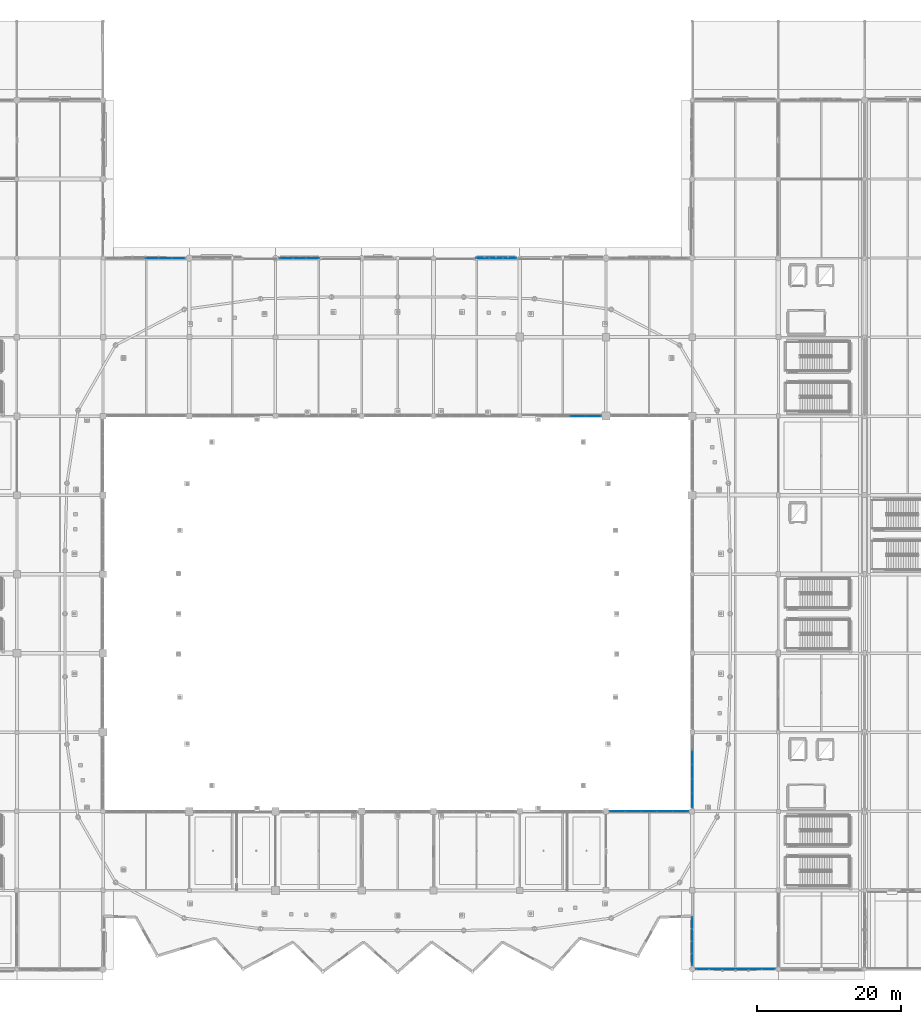
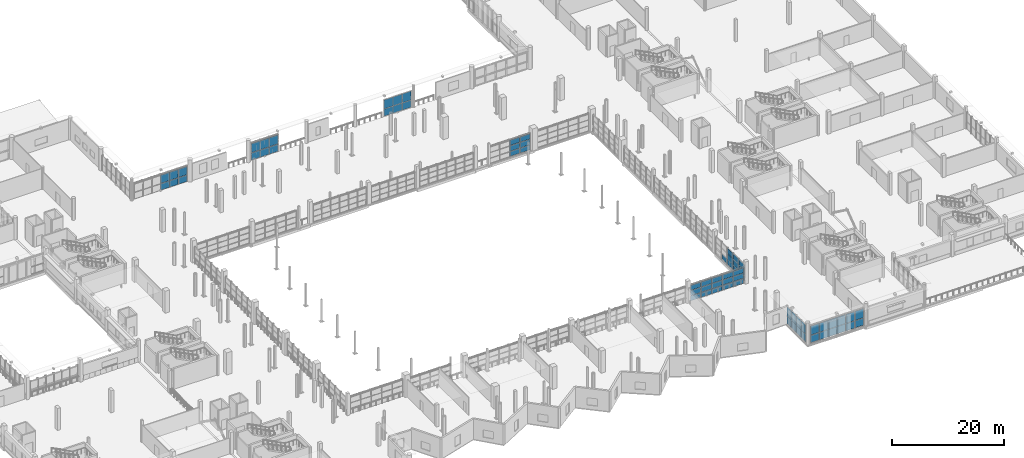
# One storey, part 80 of 143: 69 plates, 8 elements without a shape of their own.
"""IFC4 building model written with IfcOpenShell, lengths in metres."""

from ifc_helpers import new_model, si_unit, direction, frame, origin, origin_2d, place, context, subcontext, project, spatial, rectangle, extrude, material, layer, layer_set, type_object, element, aggregate, save


model = new_model("IFC4")

# Units and contexts
model_context = context("Model", 3, precision=1e-05, world=origin(), true_north=direction((0.0, 1.0)))
body_context = subcontext(model_context, "Body", "Model", "MODEL_VIEW")
ifc_project = project(units=[si_unit("LENGTHUNIT", "METRE"), si_unit("AREAUNIT", "SQUARE_METRE"), si_unit("VOLUMEUNIT", "CUBIC_METRE"), si_unit("PLANEANGLEUNIT", "RADIAN"), si_unit("MASSUNIT", "GRAM", prefix="KILO")], contexts=[model_context])

# Site, building, storey
site_placement = place(None, origin())
site = spatial("IfcSite", under=ifc_project, at=site_placement, CompositionType="ELEMENT")
building_placement = place(site_placement, origin())
building = spatial("IfcBuilding", under=site, at=building_placement, Name="Luwafu Chhajja Arena", CompositionType="ELEMENT")
storey_placement = place(building_placement, frame((0.0, 0.0, 5.39990234375)))
storey = spatial("IfcBuildingStorey", under=building, at=storey_placement, Name="L01", CompositionType="ELEMENT", Elevation=5.39990234375)

# Curtain wall, plates
ifc_material_1 = material(Name="Anodised bronze aluminium", Category="aluminium")
curtain_wall_type_1 = type_object("IfcCurtainWallType", Name="Warm-Up Gallery Curtain Wall", PredefinedType="USERDEFINED", material=ifc_material_1)
curtain_wall_1_placement = place(storey_placement, origin())
curtain_wall_1 = element("IfcCurtainWall", 1, at=curtain_wall_1_placement, inside=storey, type_object=curtain_wall_type_1, Name="L01 Curtain Wall CWG-L01-H09_09", ObjectType="CURTAIN WALL", PredefinedType="USERDEFINED")
ifc_layer_1 = layer(ifc_material_1, 0.050048828125, Name="Anodised bronze aluminium")
ifc_layer_set_1 = layer_set([ifc_layer_1], Name="Anodised bronze aluminium")
plate_type_1 = type_object("IfcPlateType", Name="Insulated Bronze Spandrel Panel 50", PredefinedType="CURTAIN_PANEL", material=ifc_layer_set_1)
plate_1_placement = place(storey_placement, frame((110.8173828125, 99.0, 0.10009765625), z_axis=(0.0, 0.0, 1.0), x_axis=(1.0, 0.0, 0.0)))
plate_1 = element("IfcPlate", 2, at=plate_1_placement, type_object=plate_type_1, Name="CW-08 panel 1.1", PredefinedType="CURTAIN_PANEL", context=body_context, shape_type="SweptSolid", body=[
    extrude(rectangle(XDim=1.80908203125, YDim=0.050048828125, at=origin_2d()), origin(), (0.0, 0.0, 1.0), 1.525390625),
])
plate_2_placement = place(storey_placement, frame((110.8173828125, 99.0, 1.69580078125), z_axis=(0.0, 0.0, 1.0), x_axis=(1.0, 0.0, 0.0)))
plate_2 = element("IfcPlate", 3, at=plate_2_placement, type_object=plate_type_1, Name="CW-08 panel 1.2", PredefinedType="CURTAIN_PANEL", context=body_context, shape_type="SweptSolid", body=[
    extrude(rectangle(XDim=1.80908203125, YDim=0.050048828125, at=origin_2d()), origin(), (0.0, 0.0, 1.0), 1.924560546875),
])
plate_3_placement = place(storey_placement, frame((112.7138671875, 99.0, 0.10009765625), z_axis=(0.0, 0.0, 1.0), x_axis=(1.0, 0.0, 0.0)))
plate_3 = element("IfcPlate", 4, at=plate_3_placement, type_object=plate_type_1, Name="CW-08 panel 2.1", PredefinedType="CURTAIN_PANEL", context=body_context, shape_type="SweptSolid", body=[
    extrude(rectangle(XDim=1.843994140625, YDim=0.050048828125, at=origin_2d()), origin(), (0.0, 0.0, 1.0), 1.525390625),
])
plate_4_placement = place(storey_placement, frame((112.7138671875, 99.0, 1.69580078125), z_axis=(0.0, 0.0, 1.0), x_axis=(1.0, 0.0, 0.0)))
plate_4 = element("IfcPlate", 5, at=plate_4_placement, type_object=plate_type_1, Name="CW-08 panel 2.2", PredefinedType="CURTAIN_PANEL", context=body_context, shape_type="SweptSolid", body=[
    extrude(rectangle(XDim=1.843994140625, YDim=0.050048828125, at=origin_2d()), origin(), (0.0, 0.0, 1.0), 1.924560546875),
])
plate_5_placement = place(storey_placement, frame((114.610595703125, 99.0, 0.10009765625), z_axis=(0.0, 0.0, 1.0), x_axis=(1.0, 0.0, 0.0)))
plate_5 = element("IfcPlate", 6, at=plate_5_placement, type_object=plate_type_1, Name="CW-08 panel 3.1", PredefinedType="CURTAIN_PANEL", context=body_context, shape_type="SweptSolid", body=[
    extrude(rectangle(XDim=1.80908203125, YDim=0.050048828125, at=origin_2d()), origin(), (0.0, 0.0, 1.0), 1.525390625),
])
plate_6_placement = place(storey_placement, frame((114.610595703125, 99.0, 1.69580078125), z_axis=(0.0, 0.0, 1.0), x_axis=(1.0, 0.0, 0.0)))
plate_6 = element("IfcPlate", 7, at=plate_6_placement, type_object=plate_type_1, Name="CW-08 panel 3.2", PredefinedType="CURTAIN_PANEL", context=body_context, shape_type="SweptSolid", body=[
    extrude(rectangle(XDim=1.80908203125, YDim=0.050048828125, at=origin_2d()), origin(), (0.0, 0.0, 1.0), 1.924560546875),
])
aggregate(curtain_wall_1, [plate_1, plate_2, plate_3, plate_4, plate_5, plate_6])

curtain_wall_type_2 = type_object("IfcCurtainWallType", Name="Charbagh Cloister Curtain Wall", PredefinedType="USERDEFINED", material=ifc_material_1)
curtain_wall_2_placement = place(storey_placement, origin())
curtain_wall_2 = element("IfcCurtainWall", 8, at=curtain_wall_2_placement, inside=storey, type_object=curtain_wall_type_2, Name="L01 Curtain Wall CWG-L01-H05_09", ObjectType="CURTAIN WALL", PredefinedType="USERDEFINED")
ifc_material_2 = material(Name="Solar-control laminated glass", Category="glass")
ifc_layer_2 = layer(ifc_material_2, 0.028076171875, Name="Solar-control laminated glass")
ifc_layer_set_2 = layer_set([ifc_layer_2], Name="Solar-control laminated glass")
plate_type_2 = type_object("IfcPlateType", Name="Solar Control Double Glazed CW Panel 28", PredefinedType="CURTAIN_PANEL", material=ifc_layer_set_2)
plate_7_placement = place(storey_placement, frame((64.828857421875, 99.0, 0.09033203125), z_axis=(0.0, 0.0, 1.0), x_axis=(1.0, 0.0, 0.0)))
plate_7 = element("IfcPlate", 9, at=plate_7_placement, type_object=plate_type_2, Name="CW-06 panel 4.1", PredefinedType="CURTAIN_PANEL", context=body_context, shape_type="SweptSolid", body=[
    extrude(rectangle(XDim=1.7724609375, YDim=0.028076171875, at=origin_2d()), origin(), (0.0, 0.0, 1.0), 1.427978515625),
])
plate_8_placement = place(storey_placement, frame((64.828857421875, 99.0, 1.578125), z_axis=(0.0, 0.0, 1.0), x_axis=(1.0, 0.0, 0.0)))
plate_8 = element("IfcPlate", 10, at=plate_8_placement, type_object=plate_type_2, Name="CW-06 panel 4.2", PredefinedType="CURTAIN_PANEL", context=body_context, shape_type="SweptSolid", body=[
    extrude(rectangle(XDim=1.7724609375, YDim=0.028076171875, at=origin_2d()), origin(), (0.0, 0.0, 1.0), 1.802001953125),
])
plate_9_placement = place(storey_placement, frame((66.6611328125, 99.0, 0.09033203125), z_axis=(0.0, 0.0, 1.0), x_axis=(1.0, 0.0, 0.0)))
plate_9 = element("IfcPlate", 11, at=plate_9_placement, type_object=plate_type_2, Name="CW-06 panel 5.1", PredefinedType="CURTAIN_PANEL", context=body_context, shape_type="SweptSolid", body=[
    extrude(rectangle(XDim=1.7724609375, YDim=0.028076171875, at=origin_2d()), origin(), (0.0, 0.0, 1.0), 1.427978515625),
])
plate_10_placement = place(storey_placement, frame((66.6611328125, 99.0, 1.578125), z_axis=(0.0, 0.0, 1.0), x_axis=(1.0, 0.0, 0.0)))
plate_10 = element("IfcPlate", 12, at=plate_10_placement, type_object=plate_type_2, Name="CW-06 panel 5.2", PredefinedType="CURTAIN_PANEL", context=body_context, shape_type="SweptSolid", body=[
    extrude(rectangle(XDim=1.7724609375, YDim=0.028076171875, at=origin_2d()), origin(), (0.0, 0.0, 1.0), 1.802001953125),
])
plate_11_placement = place(storey_placement, frame((68.478759765625, 99.0, 0.09033203125), z_axis=(0.0, 0.0, 1.0), x_axis=(1.0, 0.0, 0.0)))
plate_11 = element("IfcPlate", 13, at=plate_11_placement, type_object=plate_type_2, Name="CW-06 panel 6.1", PredefinedType="CURTAIN_PANEL", context=body_context, shape_type="SweptSolid", body=[
    extrude(rectangle(XDim=1.742431640625, YDim=0.028076171875, at=origin_2d()), origin(), (0.0, 0.0, 1.0), 1.427978515625),
])
plate_12_placement = place(storey_placement, frame((68.478759765625, 99.0, 1.578125), z_axis=(0.0, 0.0, 1.0), x_axis=(1.0, 0.0, 0.0)))
plate_12 = element("IfcPlate", 14, at=plate_12_placement, type_object=plate_type_2, Name="CW-06 panel 6.2", PredefinedType="CURTAIN_PANEL", context=body_context, shape_type="SweptSolid", body=[
    extrude(rectangle(XDim=1.742431640625, YDim=0.028076171875, at=origin_2d()), origin(), (0.0, 0.0, 1.0), 1.802001953125),
])
aggregate(curtain_wall_2, [plate_7, plate_8, plate_9, plate_10, plate_11, plate_12])

curtain_wall_type_3 = type_object("IfcCurtainWallType", Name="Hospitality Ring Curtain Wall", PredefinedType="USERDEFINED", material=ifc_material_1)
curtain_wall_3_placement = place(storey_placement, origin())
curtain_wall_3 = element("IfcCurtainWall", 15, at=curtain_wall_3_placement, inside=storey, type_object=curtain_wall_type_3, Name="L01 Curtain Wall CWG-L01-H07_09", ObjectType="CURTAIN WALL", PredefinedType="USERDEFINED")
plate_13_placement = place(storey_placement, frame((83.492431640625, 99.0, 0.09521484375), z_axis=(0.0, 0.0, 1.0), x_axis=(1.0, 0.0, 0.0)))
plate_13 = element("IfcPlate", 16, at=plate_13_placement, type_object=plate_type_2, Name="CW-02 panel 1.1", PredefinedType="CURTAIN_PANEL", context=body_context, shape_type="SweptSolid", body=[
    extrude(rectangle(XDim=1.77490234375, YDim=0.028076171875, at=origin_2d()), origin(), (0.0, 0.0, 1.0), 1.56884765625),
])
plate_14_placement = place(storey_placement, frame((83.492431640625, 99.0, 1.72900390625), z_axis=(0.0, 0.0, 1.0), x_axis=(1.0, 0.0, 0.0)))
plate_14 = element("IfcPlate", 17, at=plate_14_placement, type_object=plate_type_2, Name="CW-02 panel 1.2", PredefinedType="CURTAIN_PANEL", context=body_context, shape_type="SweptSolid", body=[
    extrude(rectangle(XDim=1.77490234375, YDim=0.028076171875, at=origin_2d()), origin(), (0.0, 0.0, 1.0), 1.975830078125),
])
plate_15_placement = place(storey_placement, frame((85.3486328125, 99.0, 0.09521484375), z_axis=(0.0, 0.0, 1.0), x_axis=(1.0, 0.0, 0.0)))
plate_15 = element("IfcPlate", 18, at=plate_15_placement, type_object=plate_type_2, Name="CW-02 panel 2.1", PredefinedType="CURTAIN_PANEL", context=body_context, shape_type="SweptSolid", body=[
    extrude(rectangle(XDim=1.807373046875, YDim=0.028076171875, at=origin_2d()), origin(), (0.0, 0.0, 1.0), 1.56884765625),
])
plate_16_placement = place(storey_placement, frame((85.3486328125, 99.0, 1.72900390625), z_axis=(0.0, 0.0, 1.0), x_axis=(1.0, 0.0, 0.0)))
plate_16 = element("IfcPlate", 19, at=plate_16_placement, type_object=plate_type_2, Name="CW-02 panel 2.2", PredefinedType="CURTAIN_PANEL", context=body_context, shape_type="SweptSolid", body=[
    extrude(rectangle(XDim=1.807373046875, YDim=0.028076171875, at=origin_2d()), origin(), (0.0, 0.0, 1.0), 1.975830078125),
])
plate_17_placement = place(storey_placement, frame((87.20458984375, 99.0, 0.09521484375), z_axis=(0.0, 0.0, 1.0), x_axis=(1.0, 0.0, 0.0)))
plate_17 = element("IfcPlate", 20, at=plate_17_placement, type_object=plate_type_2, Name="CW-02 panel 3.1", PredefinedType="CURTAIN_PANEL", context=body_context, shape_type="SweptSolid", body=[
    extrude(rectangle(XDim=1.77490234375, YDim=0.028076171875, at=origin_2d()), origin(), (0.0, 0.0, 1.0), 1.56884765625),
])
plate_18_placement = place(storey_placement, frame((87.20458984375, 99.0, 1.72900390625), z_axis=(0.0, 0.0, 1.0), x_axis=(1.0, 0.0, 0.0)))
plate_18 = element("IfcPlate", 21, at=plate_18_placement, type_object=plate_type_2, Name="CW-02 panel 3.2", PredefinedType="CURTAIN_PANEL", context=body_context, shape_type="SweptSolid", body=[
    extrude(rectangle(XDim=1.77490234375, YDim=0.028076171875, at=origin_2d()), origin(), (0.0, 0.0, 1.0), 1.975830078125),
])
aggregate(curtain_wall_3, [plate_13, plate_14, plate_15, plate_16, plate_17, plate_18])

curtain_wall_type_4 = type_object("IfcCurtainWallType", Name="Community Hall Street Curtain Wall", PredefinedType="USERDEFINED", material=ifc_material_1)
curtain_wall_4_placement = place(storey_placement, origin())
curtain_wall_4 = element("IfcCurtainWall", 22, at=curtain_wall_4_placement, inside=storey, type_object=curtain_wall_type_4, Name="L01 Curtain Wall CWG-L01-H12_00", ObjectType="CURTAIN WALL", PredefinedType="USERDEFINED")
plate_19_placement = place(storey_placement, frame((141.4482421875, 0.0, 0.090087890625), z_axis=(0.0, 0.0, 1.0), x_axis=(1.0, 0.0, 0.0)))
plate_19 = element("IfcPlate", 23, at=plate_19_placement, type_object=plate_type_2, Name="CW-09 panel 1.1", PredefinedType="CURTAIN_PANEL", context=body_context, shape_type="SweptSolid", body=[
    extrude(rectangle(XDim=1.74658203125, YDim=0.028076171875, at=origin_2d()), origin(), (0.0, 0.0, 1.0), 1.58544921875),
])
plate_20_placement = place(storey_placement, frame((141.4482421875, 0.0, 1.73583984375), z_axis=(0.0, 0.0, 1.0), x_axis=(1.0, 0.0, 0.0)))
plate_20 = element("IfcPlate", 24, at=plate_20_placement, type_object=plate_type_2, Name="CW-09 panel 1.2", PredefinedType="CURTAIN_PANEL", context=body_context, shape_type="SweptSolid", body=[
    extrude(rectangle(XDim=1.74658203125, YDim=0.028076171875, at=origin_2d()), origin(), (0.0, 0.0, 1.0), 1.994384765625),
])
plate_21_placement = place(storey_placement, frame((143.27001953125, 0.0, 0.090087890625), z_axis=(0.0, 0.0, 1.0), x_axis=(1.0, 0.0, 0.0)))
plate_21 = element("IfcPlate", 25, at=plate_21_placement, type_object=plate_type_2, Name="CW-09 panel 2.1", PredefinedType="CURTAIN_PANEL", context=body_context, shape_type="SweptSolid", body=[
    extrude(rectangle(XDim=1.776611328125, YDim=0.028076171875, at=origin_2d()), origin(), (0.0, 0.0, 1.0), 1.58544921875),
])
plate_22_placement = place(storey_placement, frame((143.27001953125, 0.0, 1.73583984375), z_axis=(0.0, 0.0, 1.0), x_axis=(1.0, 0.0, 0.0)))
plate_22 = element("IfcPlate", 26, at=plate_22_placement, type_object=plate_type_2, Name="CW-09 panel 2.2", PredefinedType="CURTAIN_PANEL", context=body_context, shape_type="SweptSolid", body=[
    extrude(rectangle(XDim=1.776611328125, YDim=0.028076171875, at=origin_2d()), origin(), (0.0, 0.0, 1.0), 1.994384765625),
])
plate_23_placement = place(storey_placement, frame((145.106689453125, 0.0, 0.090087890625), z_axis=(0.0, 0.0, 1.0), x_axis=(1.0, 0.0, 0.0)))
plate_23 = element("IfcPlate", 27, at=plate_23_placement, type_object=plate_type_2, Name="CW-09 panel 3.1", PredefinedType="CURTAIN_PANEL", context=body_context, shape_type="SweptSolid", body=[
    extrude(rectangle(XDim=1.776611328125, YDim=0.028076171875, at=origin_2d()), origin(), (0.0, 0.0, 1.0), 1.58544921875),
])
plate_24_placement = place(storey_placement, frame((145.106689453125, 0.0, 1.73583984375), z_axis=(0.0, 0.0, 1.0), x_axis=(1.0, 0.0, 0.0)))
plate_24 = element("IfcPlate", 28, at=plate_24_placement, type_object=plate_type_2, Name="CW-09 panel 3.2", PredefinedType="CURTAIN_PANEL", context=body_context, shape_type="SweptSolid", body=[
    extrude(rectangle(XDim=1.776611328125, YDim=0.028076171875, at=origin_2d()), origin(), (0.0, 0.0, 1.0), 1.994384765625),
])
plate_25_placement = place(storey_placement, frame((146.943359375, 0.0, 0.090087890625), z_axis=(0.0, 0.0, 1.0), x_axis=(1.0, 0.0, 0.0)))
plate_25 = element("IfcPlate", 29, at=plate_25_placement, type_object=plate_type_2, Name="CW-09 panel 4.1", PredefinedType="CURTAIN_PANEL", context=body_context, shape_type="SweptSolid", body=[
    extrude(rectangle(XDim=1.776611328125, YDim=0.028076171875, at=origin_2d()), origin(), (0.0, 0.0, 1.0), 1.58544921875),
])
plate_26_placement = place(storey_placement, frame((146.943359375, 0.0, 1.73583984375), z_axis=(0.0, 0.0, 1.0), x_axis=(1.0, 0.0, 0.0)))
plate_26 = element("IfcPlate", 30, at=plate_26_placement, type_object=plate_type_2, Name="CW-09 panel 4.2", PredefinedType="CURTAIN_PANEL", context=body_context, shape_type="SweptSolid", body=[
    extrude(rectangle(XDim=1.776611328125, YDim=0.028076171875, at=origin_2d()), origin(), (0.0, 0.0, 1.0), 1.994384765625),
])
plate_27_placement = place(storey_placement, frame((148.780029296875, 0.0, 0.090087890625), z_axis=(0.0, 0.0, 1.0), x_axis=(1.0, 0.0, 0.0)))
plate_27 = element("IfcPlate", 31, at=plate_27_placement, type_object=plate_type_2, Name="CW-09 panel 5.1", PredefinedType="CURTAIN_PANEL", context=body_context, shape_type="SweptSolid", body=[
    extrude(rectangle(XDim=1.776611328125, YDim=0.028076171875, at=origin_2d()), origin(), (0.0, 0.0, 1.0), 1.58544921875),
])
plate_28_placement = place(storey_placement, frame((148.780029296875, 0.0, 1.73583984375), z_axis=(0.0, 0.0, 1.0), x_axis=(1.0, 0.0, 0.0)))
plate_28 = element("IfcPlate", 32, at=plate_28_placement, type_object=plate_type_2, Name="CW-09 panel 5.2", PredefinedType="CURTAIN_PANEL", context=body_context, shape_type="SweptSolid", body=[
    extrude(rectangle(XDim=1.776611328125, YDim=0.028076171875, at=origin_2d()), origin(), (0.0, 0.0, 1.0), 1.994384765625),
])
plate_29_placement = place(storey_placement, frame((150.6015625, 0.0, 0.090087890625), z_axis=(0.0, 0.0, 1.0), x_axis=(1.0, 0.0, 0.0)))
plate_29 = element("IfcPlate", 33, at=plate_29_placement, type_object=plate_type_2, Name="CW-09 panel 6.1", PredefinedType="CURTAIN_PANEL", context=body_context, shape_type="SweptSolid", body=[
    extrude(rectangle(XDim=1.74658203125, YDim=0.028076171875, at=origin_2d()), origin(), (0.0, 0.0, 1.0), 1.58544921875),
])
plate_30_placement = place(storey_placement, frame((150.6015625, 0.0, 1.73583984375), z_axis=(0.0, 0.0, 1.0), x_axis=(1.0, 0.0, 0.0)))
plate_30 = element("IfcPlate", 34, at=plate_30_placement, type_object=plate_type_2, Name="CW-09 panel 6.2", PredefinedType="CURTAIN_PANEL", context=body_context, shape_type="SweptSolid", body=[
    extrude(rectangle(XDim=1.74658203125, YDim=0.028076171875, at=origin_2d()), origin(), (0.0, 0.0, 1.0), 1.994384765625),
])
aggregate(curtain_wall_4, [plate_19, plate_20, plate_21, plate_22, plate_23, plate_24, plate_25, plate_26, plate_27, plate_28, plate_29, plate_30])

curtain_wall_5_placement = place(storey_placement, origin())
curtain_wall_5 = element("IfcCurtainWall", 35, at=curtain_wall_5_placement, inside=storey, type_object=curtain_wall_type_4, Name="L01 Curtain Wall CWG-L01-V12_00", ObjectType="CURTAIN WALL", PredefinedType="USERDEFINED")
plate_31_placement = place(storey_placement, frame((140.0, 1.38427734375, 0.090087890625), z_axis=(0.0, 0.0, 1.0), x_axis=(0.0, 1.0, 0.0)))
plate_31 = element("IfcPlate", 36, at=plate_31_placement, type_object=plate_type_2, Name="CW-09 panel 1.1", PredefinedType="CURTAIN_PANEL", context=body_context, shape_type="SweptSolid", body=[
    extrude(rectangle(XDim=1.618408203125, YDim=0.028076171875, at=origin_2d()), origin(), (0.0, 0.0, 1.0), 1.58544921875),
])
plate_32_placement = place(storey_placement, frame((140.0, 1.38427734375, 1.73583984375), z_axis=(0.0, 0.0, 1.0), x_axis=(0.0, 1.0, 0.0)))
plate_32 = element("IfcPlate", 37, at=plate_32_placement, type_object=plate_type_2, Name="CW-09 panel 1.2", PredefinedType="CURTAIN_PANEL", context=body_context, shape_type="SweptSolid", body=[
    extrude(rectangle(XDim=1.618408203125, YDim=0.028076171875, at=origin_2d()), origin(), (0.0, 0.0, 1.0), 1.994384765625),
])
plate_33_placement = place(storey_placement, frame((140.0, 3.077392578125, 0.090087890625), z_axis=(0.0, 0.0, 1.0), x_axis=(0.0, 1.0, 0.0)))
plate_33 = element("IfcPlate", 38, at=plate_33_placement, type_object=plate_type_2, Name="CW-09 panel 2.1", PredefinedType="CURTAIN_PANEL", context=body_context, shape_type="SweptSolid", body=[
    extrude(rectangle(XDim=1.6484375, YDim=0.028076171875, at=origin_2d()), origin(), (0.0, 0.0, 1.0), 1.58544921875),
])
plate_34_placement = place(storey_placement, frame((140.0, 3.077392578125, 1.73583984375), z_axis=(0.0, 0.0, 1.0), x_axis=(0.0, 1.0, 0.0)))
plate_34 = element("IfcPlate", 39, at=plate_34_placement, type_object=plate_type_2, Name="CW-09 panel 2.2", PredefinedType="CURTAIN_PANEL", context=body_context, shape_type="SweptSolid", body=[
    extrude(rectangle(XDim=1.6484375, YDim=0.028076171875, at=origin_2d()), origin(), (0.0, 0.0, 1.0), 1.994384765625),
])
plate_35_placement = place(storey_placement, frame((140.0, 4.785888671875, 0.090087890625), z_axis=(0.0, 0.0, 1.0), x_axis=(0.0, 1.0, 0.0)))
plate_35 = element("IfcPlate", 40, at=plate_35_placement, type_object=plate_type_2, Name="CW-09 panel 3.1", PredefinedType="CURTAIN_PANEL", context=body_context, shape_type="SweptSolid", body=[
    extrude(rectangle(XDim=1.6484375, YDim=0.028076171875, at=origin_2d()), origin(), (0.0, 0.0, 1.0), 1.58544921875),
])
plate_36_placement = place(storey_placement, frame((140.0, 4.785888671875, 1.73583984375), z_axis=(0.0, 0.0, 1.0), x_axis=(0.0, 1.0, 0.0)))
plate_36 = element("IfcPlate", 41, at=plate_36_placement, type_object=plate_type_2, Name="CW-09 panel 3.2", PredefinedType="CURTAIN_PANEL", context=body_context, shape_type="SweptSolid", body=[
    extrude(rectangle(XDim=1.6484375, YDim=0.028076171875, at=origin_2d()), origin(), (0.0, 0.0, 1.0), 1.994384765625),
])
plate_37_placement = place(storey_placement, frame((140.0, 6.479248046875, 0.090087890625), z_axis=(0.0, 0.0, 1.0), x_axis=(0.0, 1.0, 0.0)))
plate_37 = element("IfcPlate", 42, at=plate_37_placement, type_object=plate_type_2, Name="CW-09 panel 4.1", PredefinedType="CURTAIN_PANEL", context=body_context, shape_type="SweptSolid", body=[
    extrude(rectangle(XDim=1.618408203125, YDim=0.028076171875, at=origin_2d()), origin(), (0.0, 0.0, 1.0), 1.58544921875),
])
plate_38_placement = place(storey_placement, frame((140.0, 6.479248046875, 1.73583984375), z_axis=(0.0, 0.0, 1.0), x_axis=(0.0, 1.0, 0.0)))
plate_38 = element("IfcPlate", 43, at=plate_38_placement, type_object=plate_type_2, Name="CW-09 panel 4.2", PredefinedType="CURTAIN_PANEL", context=body_context, shape_type="SweptSolid", body=[
    extrude(rectangle(XDim=1.618408203125, YDim=0.028076171875, at=origin_2d()), origin(), (0.0, 0.0, 1.0), 1.994384765625),
])
aggregate(curtain_wall_5, [plate_31, plate_32, plate_33, plate_34, plate_35, plate_36, plate_37, plate_38])

curtain_wall_type_5 = type_object("IfcCurtainWallType", Name="Bowl Concourse Chord Curtain Wall", PredefinedType="USERDEFINED", material=ifc_material_1)
curtain_wall_6_placement = place(storey_placement, origin())
curtain_wall_6 = element("IfcCurtainWall", 44, at=curtain_wall_6_placement, inside=storey, type_object=curtain_wall_type_5, Name="L01 Bowl Viewing Curtain Wall CWR-L01-07", ObjectType="CURTAIN WALL", PredefinedType="USERDEFINED")
plate_39_placement = place(storey_placement, frame((129.62939453125, 22.0, 0.06005859375), z_axis=(0.0, 0.0, 1.0), x_axis=(1.0, 0.0, 0.0)))
plate_39 = element("IfcPlate", 45, at=plate_39_placement, type_object=plate_type_2, Name="CW-01 panel 1.1", PredefinedType="CURTAIN_PANEL", context=body_context, shape_type="SweptSolid", body=[
    extrude(rectangle(XDim=2.10888671875, YDim=0.028076171875, at=origin_2d()), origin(), (0.0, 0.0, 1.0), 1.06005859375),
])
plate_40_placement = place(storey_placement, frame((129.62939453125, 22.0, 1.18017578125), z_axis=(0.0, 0.0, 1.0), x_axis=(1.0, 0.0, 0.0)))
plate_40 = element("IfcPlate", 46, at=plate_40_placement, type_object=plate_type_2, Name="CW-01 panel 1.2", PredefinedType="CURTAIN_PANEL", context=body_context, shape_type="SweptSolid", body=[
    extrude(rectangle(XDim=2.10888671875, YDim=0.028076171875, at=origin_2d()), origin(), (0.0, 0.0, 1.0), 1.110107421875),
])
plate_41_placement = place(storey_placement, frame((129.62939453125, 22.0, 2.35009765625), z_axis=(0.0, 0.0, 1.0), x_axis=(1.0, 0.0, 0.0)))
plate_41 = element("IfcPlate", 47, at=plate_41_placement, type_object=plate_type_2, Name="CW-01 panel 1.3", PredefinedType="CURTAIN_PANEL", context=body_context, shape_type="SweptSolid", body=[
    extrude(rectangle(XDim=2.10888671875, YDim=0.028076171875, at=origin_2d()), origin(), (0.0, 0.0, 1.0), 1.080078125),
])
plate_42_placement = place(storey_placement, frame((131.8134765625, 22.0, 0.06005859375), z_axis=(0.0, 0.0, 1.0), x_axis=(1.0, 0.0, 0.0)))
plate_42 = element("IfcPlate", 48, at=plate_42_placement, type_object=plate_type_2, Name="CW-01 panel 2.1", PredefinedType="CURTAIN_PANEL", context=body_context, shape_type="SweptSolid", body=[
    extrude(rectangle(XDim=2.138916015625, YDim=0.028076171875, at=origin_2d()), origin(), (0.0, 0.0, 1.0), 1.06005859375),
])
plate_43_placement = place(storey_placement, frame((131.8134765625, 22.0, 1.18017578125), z_axis=(0.0, 0.0, 1.0), x_axis=(1.0, 0.0, 0.0)))
plate_43 = element("IfcPlate", 49, at=plate_43_placement, type_object=plate_type_2, Name="CW-01 panel 2.2", PredefinedType="CURTAIN_PANEL", context=body_context, shape_type="SweptSolid", body=[
    extrude(rectangle(XDim=2.138916015625, YDim=0.028076171875, at=origin_2d()), origin(), (0.0, 0.0, 1.0), 1.110107421875),
])
plate_44_placement = place(storey_placement, frame((131.8134765625, 22.0, 2.35009765625), z_axis=(0.0, 0.0, 1.0), x_axis=(1.0, 0.0, 0.0)))
plate_44 = element("IfcPlate", 50, at=plate_44_placement, type_object=plate_type_2, Name="CW-01 panel 2.3", PredefinedType="CURTAIN_PANEL", context=body_context, shape_type="SweptSolid", body=[
    extrude(rectangle(XDim=2.138916015625, YDim=0.028076171875, at=origin_2d()), origin(), (0.0, 0.0, 1.0), 1.080078125),
])
plate_45_placement = place(storey_placement, frame((134.012451171875, 22.0, 0.06005859375), z_axis=(0.0, 0.0, 1.0), x_axis=(1.0, 0.0, 0.0)))
plate_45 = element("IfcPlate", 51, at=plate_45_placement, type_object=plate_type_2, Name="CW-01 panel 3.1", PredefinedType="CURTAIN_PANEL", context=body_context, shape_type="SweptSolid", body=[
    extrude(rectangle(XDim=2.138916015625, YDim=0.028076171875, at=origin_2d()), origin(), (0.0, 0.0, 1.0), 1.06005859375),
])
plate_46_placement = place(storey_placement, frame((134.012451171875, 22.0, 1.18017578125), z_axis=(0.0, 0.0, 1.0), x_axis=(1.0, 0.0, 0.0)))
plate_46 = element("IfcPlate", 52, at=plate_46_placement, type_object=plate_type_2, Name="CW-01 panel 3.2", PredefinedType="CURTAIN_PANEL", context=body_context, shape_type="SweptSolid", body=[
    extrude(rectangle(XDim=2.138916015625, YDim=0.028076171875, at=origin_2d()), origin(), (0.0, 0.0, 1.0), 1.110107421875),
])
plate_47_placement = place(storey_placement, frame((134.012451171875, 22.0, 2.35009765625), z_axis=(0.0, 0.0, 1.0), x_axis=(1.0, 0.0, 0.0)))
plate_47 = element("IfcPlate", 53, at=plate_47_placement, type_object=plate_type_2, Name="CW-01 panel 3.3", PredefinedType="CURTAIN_PANEL", context=body_context, shape_type="SweptSolid", body=[
    extrude(rectangle(XDim=2.138916015625, YDim=0.028076171875, at=origin_2d()), origin(), (0.0, 0.0, 1.0), 1.080078125),
])
plate_48_placement = place(storey_placement, frame((136.21142578125, 22.0, 0.06005859375), z_axis=(0.0, 0.0, 1.0), x_axis=(1.0, 0.0, 0.0)))
plate_48 = element("IfcPlate", 54, at=plate_48_placement, type_object=plate_type_2, Name="CW-01 panel 4.1", PredefinedType="CURTAIN_PANEL", context=body_context, shape_type="SweptSolid", body=[
    extrude(rectangle(XDim=2.138916015625, YDim=0.028076171875, at=origin_2d()), origin(), (0.0, 0.0, 1.0), 1.06005859375),
])
plate_49_placement = place(storey_placement, frame((136.21142578125, 22.0, 1.18017578125), z_axis=(0.0, 0.0, 1.0), x_axis=(1.0, 0.0, 0.0)))
plate_49 = element("IfcPlate", 55, at=plate_49_placement, type_object=plate_type_2, Name="CW-01 panel 4.2", PredefinedType="CURTAIN_PANEL", context=body_context, shape_type="SweptSolid", body=[
    extrude(rectangle(XDim=2.138916015625, YDim=0.028076171875, at=origin_2d()), origin(), (0.0, 0.0, 1.0), 1.110107421875),
])
plate_50_placement = place(storey_placement, frame((136.21142578125, 22.0, 2.35009765625), z_axis=(0.0, 0.0, 1.0), x_axis=(1.0, 0.0, 0.0)))
plate_50 = element("IfcPlate", 56, at=plate_50_placement, type_object=plate_type_2, Name="CW-01 panel 4.3", PredefinedType="CURTAIN_PANEL", context=body_context, shape_type="SweptSolid", body=[
    extrude(rectangle(XDim=2.138916015625, YDim=0.028076171875, at=origin_2d()), origin(), (0.0, 0.0, 1.0), 1.080078125),
])
plate_51_placement = place(storey_placement, frame((138.3955078125, 22.0, 0.06005859375), z_axis=(0.0, 0.0, 1.0), x_axis=(1.0, 0.0, 0.0)))
plate_51 = element("IfcPlate", 57, at=plate_51_placement, type_object=plate_type_2, Name="CW-01 panel 5.1", PredefinedType="CURTAIN_PANEL", context=body_context, shape_type="SweptSolid", body=[
    extrude(rectangle(XDim=2.10888671875, YDim=0.028076171875, at=origin_2d()), origin(), (0.0, 0.0, 1.0), 1.06005859375),
])
plate_52_placement = place(storey_placement, frame((138.3955078125, 22.0, 1.18017578125), z_axis=(0.0, 0.0, 1.0), x_axis=(1.0, 0.0, 0.0)))
plate_52 = element("IfcPlate", 58, at=plate_52_placement, type_object=plate_type_2, Name="CW-01 panel 5.2", PredefinedType="CURTAIN_PANEL", context=body_context, shape_type="SweptSolid", body=[
    extrude(rectangle(XDim=2.10888671875, YDim=0.028076171875, at=origin_2d()), origin(), (0.0, 0.0, 1.0), 1.110107421875),
])
plate_53_placement = place(storey_placement, frame((138.3955078125, 22.0, 2.35009765625), z_axis=(0.0, 0.0, 1.0), x_axis=(1.0, 0.0, 0.0)))
plate_53 = element("IfcPlate", 59, at=plate_53_placement, type_object=plate_type_2, Name="CW-01 panel 5.3", PredefinedType="CURTAIN_PANEL", context=body_context, shape_type="SweptSolid", body=[
    extrude(rectangle(XDim=2.10888671875, YDim=0.028076171875, at=origin_2d()), origin(), (0.0, 0.0, 1.0), 1.080078125),
])
aggregate(curtain_wall_6, [plate_39, plate_40, plate_41, plate_42, plate_43, plate_44, plate_45, plate_46, plate_47, plate_48, plate_49, plate_50, plate_51, plate_52, plate_53])

curtain_wall_7_placement = place(storey_placement, origin())
curtain_wall_7 = element("IfcCurtainWall", 60, at=curtain_wall_7_placement, inside=storey, type_object=curtain_wall_type_5, Name="L01 Bowl Viewing Curtain Wall CWR-L01-13", ObjectType="CURTAIN WALL", PredefinedType="USERDEFINED")
plate_54_placement = place(storey_placement, frame((124.143798828125, 77.0, 0.06005859375), z_axis=(0.0, 0.0, 1.0), x_axis=(1.0, 0.0, 0.0)))
plate_54 = element("IfcPlate", 61, at=plate_54_placement, type_object=plate_type_2, Name="CW-01 panel 3.1", PredefinedType="CURTAIN_PANEL", context=body_context, shape_type="SweptSolid", body=[
    extrude(rectangle(XDim=2.05078125, YDim=0.028076171875, at=origin_2d()), origin(), (0.0, 0.0, 1.0), 1.06005859375),
])
plate_55_placement = place(storey_placement, frame((124.143798828125, 77.0, 1.18017578125), z_axis=(0.0, 0.0, 1.0), x_axis=(1.0, 0.0, 0.0)))
plate_55 = element("IfcPlate", 62, at=plate_55_placement, type_object=plate_type_2, Name="CW-01 panel 3.2", PredefinedType="CURTAIN_PANEL", context=body_context, shape_type="SweptSolid", body=[
    extrude(rectangle(XDim=2.05078125, YDim=0.028076171875, at=origin_2d()), origin(), (0.0, 0.0, 1.0), 1.18505859375),
])
plate_56_placement = place(storey_placement, frame((124.143798828125, 77.0, 2.42529296875), z_axis=(0.0, 0.0, 1.0), x_axis=(1.0, 0.0, 0.0)))
plate_56 = element("IfcPlate", 63, at=plate_56_placement, type_object=plate_type_2, Name="CW-01 panel 3.3", PredefinedType="CURTAIN_PANEL", context=body_context, shape_type="SweptSolid", body=[
    extrude(rectangle(XDim=2.05078125, YDim=0.028076171875, at=origin_2d()), origin(), (0.0, 0.0, 1.0), 1.155029296875),
])
plate_57_placement = place(storey_placement, frame((126.239501953125, 77.0, 0.06005859375), z_axis=(0.0, 0.0, 1.0), x_axis=(1.0, 0.0, 0.0)))
plate_57 = element("IfcPlate", 64, at=plate_57_placement, type_object=plate_type_2, Name="CW-01 panel 4.1", PredefinedType="CURTAIN_PANEL", context=body_context, shape_type="SweptSolid", body=[
    extrude(rectangle(XDim=2.020751953125, YDim=0.028076171875, at=origin_2d()), origin(), (0.0, 0.0, 1.0), 1.06005859375),
])
plate_58_placement = place(storey_placement, frame((126.239501953125, 77.0, 1.18017578125), z_axis=(0.0, 0.0, 1.0), x_axis=(1.0, 0.0, 0.0)))
plate_58 = element("IfcPlate", 65, at=plate_58_placement, type_object=plate_type_2, Name="CW-01 panel 4.2", PredefinedType="CURTAIN_PANEL", context=body_context, shape_type="SweptSolid", body=[
    extrude(rectangle(XDim=2.020751953125, YDim=0.028076171875, at=origin_2d()), origin(), (0.0, 0.0, 1.0), 1.18505859375),
])
plate_59_placement = place(storey_placement, frame((126.239501953125, 77.0, 2.42529296875), z_axis=(0.0, 0.0, 1.0), x_axis=(1.0, 0.0, 0.0)))
plate_59 = element("IfcPlate", 66, at=plate_59_placement, type_object=plate_type_2, Name="CW-01 panel 4.3", PredefinedType="CURTAIN_PANEL", context=body_context, shape_type="SweptSolid", body=[
    extrude(rectangle(XDim=2.020751953125, YDim=0.028076171875, at=origin_2d()), origin(), (0.0, 0.0, 1.0), 1.155029296875),
])
aggregate(curtain_wall_7, [plate_54, plate_55, plate_56, plate_57, plate_58, plate_59])

curtain_wall_8_placement = place(storey_placement, origin())
curtain_wall_8 = element("IfcCurtainWall", 67, at=curtain_wall_8_placement, inside=storey, type_object=curtain_wall_type_5, Name="L01 Bowl Viewing Curtain Wall CWR-L01-20", ObjectType="CURTAIN WALL", PredefinedType="USERDEFINED")
plate_60_placement = place(storey_placement, frame((140.0, 23.509521484375, 0.06005859375), z_axis=(0.0, 0.0, 1.0), x_axis=(0.0, 1.0, 0.0)))
plate_60 = element("IfcPlate", 68, at=plate_60_placement, type_object=plate_type_2, Name="CW-01 panel 1.1", PredefinedType="CURTAIN_PANEL", context=body_context, shape_type="SweptSolid", body=[
    extrude(rectangle(XDim=1.9189453125, YDim=0.028076171875, at=origin_2d()), origin(), (0.0, 0.0, 1.0), 1.06005859375),
])
plate_61_placement = place(storey_placement, frame((140.0, 23.509521484375, 1.18017578125), z_axis=(0.0, 0.0, 1.0), x_axis=(0.0, 1.0, 0.0)))
plate_61 = element("IfcPlate", 69, at=plate_61_placement, type_object=plate_type_2, Name="CW-01 panel 1.2", PredefinedType="CURTAIN_PANEL", context=body_context, shape_type="SweptSolid", body=[
    extrude(rectangle(XDim=1.9189453125, YDim=0.028076171875, at=origin_2d()), origin(), (0.0, 0.0, 1.0), 1.18505859375),
])
plate_62_placement = place(storey_placement, frame((140.0, 23.509521484375, 2.42529296875), z_axis=(0.0, 0.0, 1.0), x_axis=(0.0, 1.0, 0.0)))
plate_62 = element("IfcPlate", 70, at=plate_62_placement, type_object=plate_type_2, Name="CW-01 panel 1.3", PredefinedType="CURTAIN_PANEL", context=body_context, shape_type="SweptSolid", body=[
    extrude(rectangle(XDim=1.9189453125, YDim=0.028076171875, at=origin_2d()), origin(), (0.0, 0.0, 1.0), 1.155029296875),
])
plate_63_placement = place(storey_placement, frame((140.0, 25.50341796875, 0.06005859375), z_axis=(0.0, 0.0, 1.0), x_axis=(0.0, 1.0, 0.0)))
plate_63 = element("IfcPlate", 71, at=plate_63_placement, type_object=plate_type_2, Name="CW-01 panel 2.1", PredefinedType="CURTAIN_PANEL", context=body_context, shape_type="SweptSolid", body=[
    extrude(rectangle(XDim=1.948974609375, YDim=0.028076171875, at=origin_2d()), origin(), (0.0, 0.0, 1.0), 1.06005859375),
])
plate_64_placement = place(storey_placement, frame((140.0, 25.50341796875, 1.18017578125), z_axis=(0.0, 0.0, 1.0), x_axis=(0.0, 1.0, 0.0)))
plate_64 = element("IfcPlate", 72, at=plate_64_placement, type_object=plate_type_2, Name="CW-01 panel 2.2", PredefinedType="CURTAIN_PANEL", context=body_context, shape_type="SweptSolid", body=[
    extrude(rectangle(XDim=1.948974609375, YDim=0.028076171875, at=origin_2d()), origin(), (0.0, 0.0, 1.0), 1.18505859375),
])
plate_65_placement = place(storey_placement, frame((140.0, 25.50341796875, 2.42529296875), z_axis=(0.0, 0.0, 1.0), x_axis=(0.0, 1.0, 0.0)))
plate_65 = element("IfcPlate", 73, at=plate_65_placement, type_object=plate_type_2, Name="CW-01 panel 2.3", PredefinedType="CURTAIN_PANEL", context=body_context, shape_type="SweptSolid", body=[
    extrude(rectangle(XDim=1.948974609375, YDim=0.028076171875, at=origin_2d()), origin(), (0.0, 0.0, 1.0), 1.155029296875),
])
plate_66_placement = place(storey_placement, frame((140.0, 27.512451171875, 0.06005859375), z_axis=(0.0, 0.0, 1.0), x_axis=(0.0, 1.0, 0.0)))
plate_66 = element("IfcPlate", 74, at=plate_66_placement, type_object=plate_type_2, Name="CW-01 panel 3.1", PredefinedType="CURTAIN_PANEL", context=body_context, shape_type="SweptSolid", body=[
    extrude(rectangle(XDim=1.948974609375, YDim=0.028076171875, at=origin_2d()), origin(), (0.0, 0.0, 1.0), 1.06005859375),
])
plate_67_placement = place(storey_placement, frame((140.0, 27.512451171875, 1.18017578125), z_axis=(0.0, 0.0, 1.0), x_axis=(0.0, 1.0, 0.0)))
plate_67 = element("IfcPlate", 75, at=plate_67_placement, type_object=plate_type_2, Name="CW-01 panel 3.2", PredefinedType="CURTAIN_PANEL", context=body_context, shape_type="SweptSolid", body=[
    extrude(rectangle(XDim=1.948974609375, YDim=0.028076171875, at=origin_2d()), origin(), (0.0, 0.0, 1.0), 1.18505859375),
])
plate_68_placement = place(storey_placement, frame((140.0, 27.512451171875, 2.42529296875), z_axis=(0.0, 0.0, 1.0), x_axis=(0.0, 1.0, 0.0)))
plate_68 = element("IfcPlate", 76, at=plate_68_placement, type_object=plate_type_2, Name="CW-01 panel 3.3", PredefinedType="CURTAIN_PANEL", context=body_context, shape_type="SweptSolid", body=[
    extrude(rectangle(XDim=1.948974609375, YDim=0.028076171875, at=origin_2d()), origin(), (0.0, 0.0, 1.0), 1.155029296875),
])
plate_69_placement = place(storey_placement, frame((140.0, 29.521484375, 0.06005859375), z_axis=(0.0, 0.0, 1.0), x_axis=(0.0, 1.0, 0.0)))
plate_69 = element("IfcPlate", 77, at=plate_69_placement, type_object=plate_type_2, Name="CW-01 panel 4.1", PredefinedType="CURTAIN_PANEL", context=body_context, shape_type="SweptSolid", body=[
    extrude(rectangle(XDim=1.948974609375, YDim=0.028076171875, at=origin_2d()), origin(), (0.0, 0.0, 1.0), 1.06005859375),
])
aggregate(curtain_wall_8, [plate_60, plate_61, plate_62, plate_63, plate_64, plate_65, plate_66, plate_67, plate_68, plate_69])

save(model, "model.ifc")
